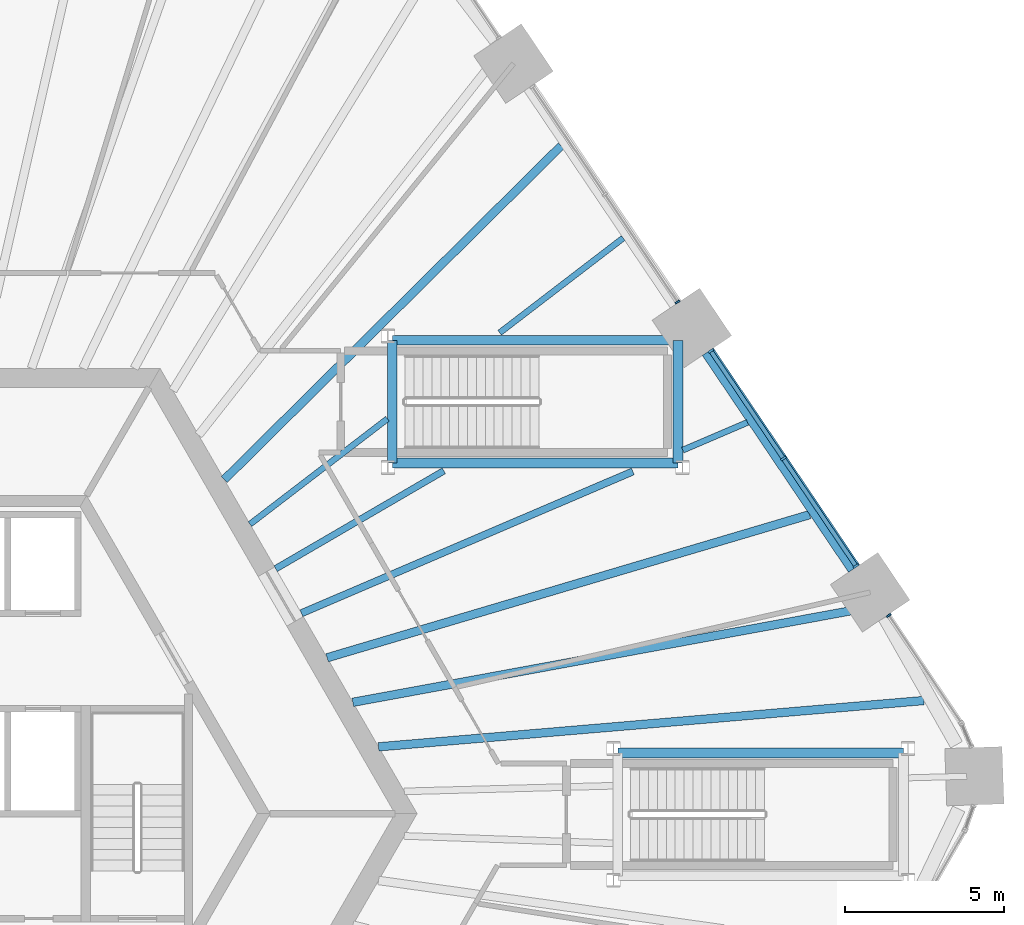
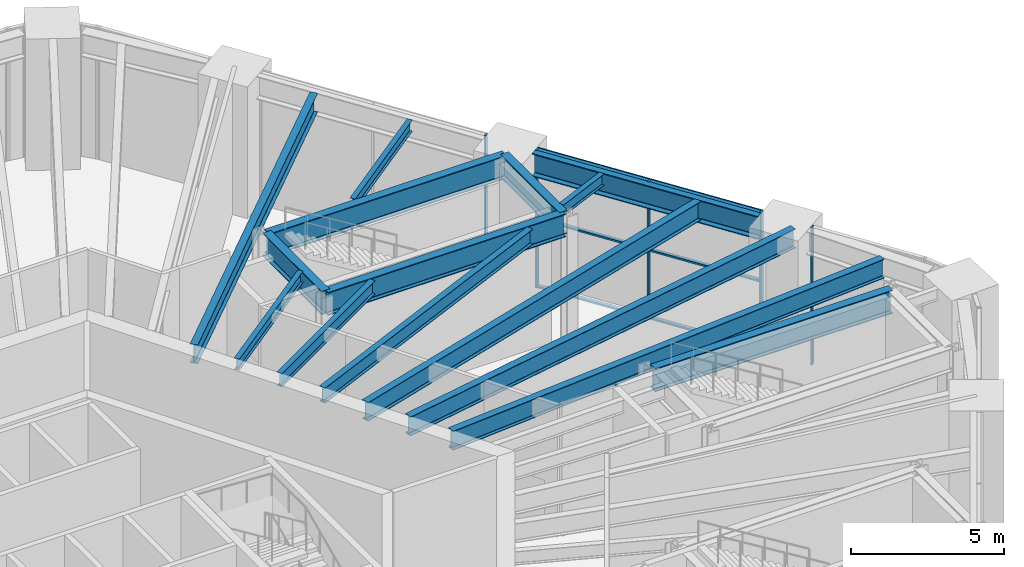
# One storey, part 9 of 30: 15 beams, 11 members, 3 elements without a shape of their own.
"""IFC4 building model written with IfcOpenShell, lengths in metres."""

from ifc_helpers import new_model, si_unit, direction, frame, origin, origin_2d, place, context, subcontext, project, spatial, rectangle, i_section, extrude, material, material_profile, profile_set, type_object, element, aggregate, save


model = new_model("IFC4")

# Units and contexts
model_context = context("Model", 3, precision=1e-05, world=origin(), true_north=direction((0.0, 1.0)))
body_context = subcontext(model_context, "Body", "Model", "MODEL_VIEW")
ifc_project = project(units=[si_unit("LENGTHUNIT", "METRE"), si_unit("AREAUNIT", "SQUARE_METRE"), si_unit("VOLUMEUNIT", "CUBIC_METRE"), si_unit("PLANEANGLEUNIT", "RADIAN"), si_unit("MASSUNIT", "GRAM", prefix="KILO")], contexts=[model_context])

# Site, building, storey
site_placement = place(None, origin())
site = spatial("IfcSite", under=ifc_project, at=site_placement, CompositionType="ELEMENT")
building_placement = place(site_placement, origin())
building = spatial("IfcBuilding", under=site, at=building_placement, Name="Tarnside Tower", CompositionType="ELEMENT")
storey_placement = place(building_placement, frame((0.0, 0.0, 15.0)))
storey = spatial("IfcBuildingStorey", under=building, at=storey_placement, Name="L02", CompositionType="ELEMENT", Elevation=15.0)

# Beams
ifc_material_1 = material(Name="Steel S355", Category="steel")
ifc_material_profile_1 = material_profile(ifc_material_1, i_section(OverallWidth=0.18994140625, OverallDepth=0.453369140625, WebThickness=0.008544921875, FlangeThickness=0.0126953125, FilletRadius=0.01025390625, at=origin_2d()), Name="UB 457x191x67")
ifc_profile_set_1 = profile_set([ifc_material_profile_1], Name="Steel S355")
beam_type_1 = type_object("IfcBeamType", Name="Floor beam UB 457x191x67", PredefinedType="BEAM", material=ifc_profile_set_1)
beam_1_placement = place(storey_placement, frame((26.551513671875, 12.298828125, 5.023193359375), z_axis=(-0.919441609872, -0.393226558153, 0.0), x_axis=(0.393226558153, -0.919441609872, 0.0)))
element("IfcBeam", 1, at=beam_1_placement, inside=storey, type_object=beam_type_1, Name="Floor beam F6.04a", PredefinedType="BEAM", context=body_context, shape_type="SweptSolid", body=[
    extrude(i_section(OverallWidth=0.18994140625, OverallDepth=0.453369140625, WebThickness=0.008544921875, FlangeThickness=0.0126953125, FilletRadius=0.01025390625, at=origin_2d()), origin(), (0.0, 0.0, 1.0), 2.212158203125),
])
beam_2_placement = place(storey_placement, frame((22.643310546875, 18.093505859375, 5.023193359375), z_axis=(-0.793636087197, -0.608392768775, 0.0), x_axis=(0.608392768775, -0.793636087197, 0.0)))
element("IfcBeam", 2, at=beam_2_placement, inside=storey, type_object=beam_type_1, Name="Floor beam F6.06a", PredefinedType="BEAM", context=body_context, shape_type="SweptSolid", body=[
    extrude(i_section(OverallWidth=0.18994140625, OverallDepth=0.453369140625, WebThickness=0.008544921875, FlangeThickness=0.0126953125, FilletRadius=0.01025390625, at=origin_2d()), origin(), (0.0, 0.0, 1.0), 4.890869140625),
])
beam_3_placement = place(storey_placement, frame((15.232421875, 12.412109375, 5.023193359375), z_axis=(-0.793643172009, -0.60838352667, 0.0), x_axis=(0.60838352667, -0.793643172009, 0.0)))
element("IfcBeam", 3, at=beam_3_placement, inside=storey, type_object=beam_type_1, Name="Floor beam F6.06b", PredefinedType="BEAM", context=body_context, shape_type="SweptSolid", body=[
    extrude(i_section(OverallWidth=0.18994140625, OverallDepth=0.453369140625, WebThickness=0.008544921875, FlangeThickness=0.0126953125, FilletRadius=0.01025390625, at=origin_2d()), origin(), (0.0, 0.0, 1.0), 5.44384765625),
])
ifc_material_profile_2 = material_profile(ifc_material_1, i_section(OverallWidth=0.209228515625, OverallDepth=0.533203125, WebThickness=0.010009765625, FlangeThickness=0.015625, FilletRadius=0.0126953125, at=origin_2d()), Name="UB 533x210x92")
ifc_profile_set_2 = profile_set([ifc_material_profile_2], Name="Steel S355")
beam_type_2 = type_object("IfcBeamType", Name="Floor beam UB 533x210x92", PredefinedType="BEAM", material=ifc_profile_set_2)
beam_4_placement = place(storey_placement, frame((17.0048828125, 10.776611328125, 4.9833984375), z_axis=(-0.864210101903, -0.503131096007, 0.0), x_axis=(0.503131096007, -0.864210101903, 0.0)))
element("IfcBeam", 4, at=beam_4_placement, inside=storey, type_object=beam_type_2, Name="Floor beam F6.05", PredefinedType="BEAM", context=body_context, shape_type="SweptSolid", body=[
    extrude(i_section(OverallWidth=0.209228515625, OverallDepth=0.533203125, WebThickness=0.010009765625, FlangeThickness=0.015625, FilletRadius=0.0126953125, at=origin_2d()), origin(), (0.0, 0.0, 1.0), 6.114990234375),
])
ifc_material_profile_3 = material_profile(ifc_material_1, i_section(OverallWidth=0.228271484375, OverallDepth=0.607666015625, WebThickness=0.010986328125, FlangeThickness=0.017333984375, FilletRadius=0.0126953125, at=origin_2d()), Name="UB 610x229x113")
ifc_profile_set_3 = profile_set([ifc_material_profile_3], Name="Steel S355")
beam_type_3 = type_object("IfcBeamType", Name="Floor beam UB 610x229x113", PredefinedType="BEAM", material=ifc_profile_set_3)
beam_5_placement = place(storey_placement, frame((22.947509765625, 10.757080078125, 4.9462890625), z_axis=(-0.919407809439, -0.393305580868, 0.0), x_axis=(0.393305580868, -0.919407809439, 0.0)))
element("IfcBeam", 5, at=beam_5_placement, inside=storey, type_object=beam_type_3, Name="Floor beam F6.04b", PredefinedType="BEAM", context=body_context, shape_type="SweptSolid", body=[
    extrude(i_section(OverallWidth=0.228271484375, OverallDepth=0.607666015625, WebThickness=0.010986328125, FlangeThickness=0.017333984375, FilletRadius=0.0126953125, at=origin_2d()), origin(), (0.0, 0.0, 1.0), 11.332275390625),
])
ifc_material_profile_4 = material_profile(ifc_material_1, i_section(OverallWidth=0.26513671875, OverallDepth=0.75390625, WebThickness=0.0126953125, FlangeThickness=0.017578125, FilletRadius=0.0166015625, at=origin_2d()), Name="UB 762x267x147")
ifc_profile_set_4 = profile_set([ifc_material_profile_4], Name="Steel S355")
beam_type_4 = type_object("IfcBeamType", Name="Floor beam UB 762x267x147", PredefinedType="BEAM", material=ifc_profile_set_4)
beam_6_placement = place(storey_placement, frame((28.507080078125, 9.39990234375, 4.873046875), z_axis=(-0.958709656164, -0.284386700073, 0.0), x_axis=(0.284386700073, -0.958709656164, 0.0)))
element("IfcBeam", 6, at=beam_6_placement, inside=storey, type_object=beam_type_4, Name="Floor beam F6.03", PredefinedType="BEAM", context=body_context, shape_type="SweptSolid", body=[
    extrude(i_section(OverallWidth=0.26513671875, OverallDepth=0.75390625, WebThickness=0.0126953125, FlangeThickness=0.017578125, FilletRadius=0.0166015625, at=origin_2d()), origin(), (0.0, 0.0, 1.0), 15.823486328125),
])
beam_7_placement = place(storey_placement, frame((20.690185546875, 20.98876953125, 4.873046875), z_axis=(-0.710383794714, -0.703814509801, 0.0), x_axis=(0.703814509801, -0.710383794714, 0.0)))
element("IfcBeam", 7, at=beam_7_placement, inside=storey, type_object=beam_type_4, Name="Floor beam F6.07", PredefinedType="BEAM", context=body_context, shape_type="SweptSolid", body=[
    extrude(i_section(OverallWidth=0.26513671875, OverallDepth=0.75390625, WebThickness=0.0126953125, FlangeThickness=0.017578125, FilletRadius=0.0166015625, at=origin_2d()), origin(), (0.0, 0.0, 1.0), 14.90283203125),
])
ifc_material_profile_5 = material_profile(ifc_material_1, i_section(OverallWidth=0.2666015625, OverallDepth=0.76220703125, WebThickness=0.014404296875, FlangeThickness=0.021484375, FilletRadius=0.0166015625, at=origin_2d()), Name="UB 762x267x173")
ifc_profile_set_5 = profile_set([ifc_material_profile_5], Name="Steel S355")
beam_type_5 = type_object("IfcBeamType", Name="Floor beam UB 762x267x173", PredefinedType="BEAM", material=ifc_profile_set_5)
beam_8_placement = place(storey_placement, frame((32.09423828125, 3.5556640625, 4.868896484375), z_axis=(-0.996413859407, -0.084613360535, 0.0), x_axis=(0.084613360535, -0.996413859407, 0.0)))
element("IfcBeam", 8, at=beam_8_placement, inside=storey, type_object=beam_type_5, Name="Floor beam F6.01", PredefinedType="BEAM", context=body_context, shape_type="SweptSolid", body=[
    extrude(i_section(OverallWidth=0.2666015625, OverallDepth=0.76220703125, WebThickness=0.014404296875, FlangeThickness=0.021484375, FilletRadius=0.0166015625, at=origin_2d()), origin(), (0.0, 0.0, 1.0), 17.20263671875),
])
beam_9_placement = place(storey_placement, frame((30.42919921875, 6.493408203125, 4.868896484375), z_axis=(-0.983521009802, -0.180793869583, 0.0), x_axis=(0.180793869583, -0.983521009802, 0.0)))
element("IfcBeam", 9, at=beam_9_placement, inside=storey, type_object=beam_type_5, Name="Floor beam F6.02", PredefinedType="BEAM", context=body_context, shape_type="SweptSolid", body=[
    extrude(i_section(OverallWidth=0.2666015625, OverallDepth=0.76220703125, WebThickness=0.014404296875, FlangeThickness=0.021484375, FilletRadius=0.0166015625, at=origin_2d()), origin(), (0.0, 0.0, 1.0), 16.55712890625),
])

# Curtain wall, members
ifc_material_2 = material(Name="Lobby entrance glazing wall", Category="glass")
curtain_wall_type_1 = type_object("IfcCurtainWallType", Name="Lobby entrance glazing wall", PredefinedType="NOTDEFINED", material=ifc_material_2)
curtain_wall_1_placement = place(storey_placement, origin())
curtain_wall_1 = element("IfcCurtainWall", 10, at=curtain_wall_1_placement, inside=storey, type_object=curtain_wall_type_1, Name="Lobby entrance glazing L02 20.0", PredefinedType="NOTDEFINED")
ifc_material_3 = material(Name="Aluminium alloy 6063", Category="aluminium")
ifc_material_profile_6 = material_profile(ifc_material_3, rectangle(XDim=0.179931640625, YDim=0.070068359375, at=origin_2d()), Name="Lobby entrance glazing mullion 70 x 180")
ifc_profile_set_6 = profile_set([ifc_material_profile_6], Name="Aluminium alloy 6063")
member_type_1 = type_object("IfcMemberType", Name="Lobby entrance glazing mullion 70 x 180", PredefinedType="MULLION", material=ifc_profile_set_6)
member_1_placement = place(storey_placement, frame((29.959228515625, 7.783935546875, -0.25), z_axis=(0.0, 0.0, 1.0), x_axis=(-0.829037572545, -0.559192903485, 0.0)))
member_1 = element("IfcMember", 11, at=member_1_placement, type_object=member_type_1, Name="CW3 mullion 1", PredefinedType="MULLION", context=body_context, shape_type="SweptSolid", body=[
    extrude(rectangle(XDim=0.179931640625, YDim=0.070068359375, at=origin_2d()), origin(), (0.0, 0.0, 1.0), 5.5),
])
member_2_placement = place(storey_placement, frame((27.679443359375, 11.163818359375, -0.25), z_axis=(0.0, 0.0, 1.0), x_axis=(-0.829037572545, -0.559192903485, 0.0)))
member_2 = element("IfcMember", 12, at=member_2_placement, type_object=member_type_1, Name="CW3 mullion 2", PredefinedType="MULLION", context=body_context, shape_type="SweptSolid", body=[
    extrude(rectangle(XDim=0.179931640625, YDim=0.070068359375, at=origin_2d()), origin(), (0.0, 0.0, 1.0), 5.5),
])
member_3_placement = place(storey_placement, frame((25.399658203125, 14.543701171875, -0.25), z_axis=(0.0, 0.0, 1.0), x_axis=(-0.829037572545, -0.559192903485, 0.0)))
member_3 = element("IfcMember", 13, at=member_3_placement, type_object=member_type_1, Name="CW3 mullion 3", PredefinedType="MULLION", context=body_context, shape_type="SweptSolid", body=[
    extrude(rectangle(XDim=0.179931640625, YDim=0.070068359375, at=origin_2d()), origin(), (0.0, 0.0, 1.0), 5.5),
])
ifc_material_profile_7 = material_profile(ifc_material_3, rectangle(XDim=0.139892578125, YDim=0.070068359375, at=origin_2d()), Name="Lobby entrance glazing transom 70 x 140")
ifc_profile_set_7 = profile_set([ifc_material_profile_7], Name="Aluminium alloy 6063")
member_type_2 = type_object("IfcMemberType", Name="Lobby entrance glazing transom 70 x 140", PredefinedType="USERDEFINED", material=ifc_profile_set_7)
member_4_placement = place(storey_placement, frame((29.939697265625, 7.81298828125, -0.215087890625), z_axis=(-0.55921958429, 0.82901957549, 0.0), x_axis=(-0.82901957549, -0.55921958429, 0.0)))
member_4 = element("IfcMember", 14, at=member_4_placement, type_object=member_type_2, Name="CW3 transom 1.1", ObjectType="TRANSOM", PredefinedType="USERDEFINED", context=body_context, shape_type="SweptSolid", body=[
    extrude(rectangle(XDim=0.139892578125, YDim=0.070068359375, at=origin_2d()), origin(), (0.0, 0.0, 1.0), 4.0068359375),
])
member_5_placement = place(storey_placement, frame((29.939697265625, 7.81298828125, 2.5), z_axis=(-0.55921958429, 0.82901957549, 0.0), x_axis=(-0.82901957549, -0.55921958429, 0.0)))
member_5 = element("IfcMember", 15, at=member_5_placement, type_object=member_type_2, Name="CW3 transom 1.2", ObjectType="TRANSOM", PredefinedType="USERDEFINED", context=body_context, shape_type="SweptSolid", body=[
    extrude(rectangle(XDim=0.139892578125, YDim=0.070068359375, at=origin_2d()), origin(), (0.0, 0.0, 1.0), 4.0068359375),
])
member_6_placement = place(storey_placement, frame((29.939697265625, 7.81298828125, 5.215087890625), z_axis=(-0.55921958429, 0.82901957549, 0.0), x_axis=(-0.82901957549, -0.55921958429, 0.0)))
member_6 = element("IfcMember", 16, at=member_6_placement, type_object=member_type_2, Name="CW3 transom 1.3", ObjectType="TRANSOM", PredefinedType="USERDEFINED", context=body_context, shape_type="SweptSolid", body=[
    extrude(rectangle(XDim=0.139892578125, YDim=0.070068359375, at=origin_2d()), origin(), (0.0, 0.0, 1.0), 4.0068359375),
])
member_7_placement = place(storey_placement, frame((27.659912109375, 11.19287109375, -0.215087890625), z_axis=(-0.55921958429, 0.82901957549, 0.0), x_axis=(-0.82901957549, -0.55921958429, 0.0)))
member_7 = element("IfcMember", 17, at=member_7_placement, type_object=member_type_2, Name="CW3 transom 2.1", ObjectType="TRANSOM", PredefinedType="USERDEFINED", context=body_context, shape_type="SweptSolid", body=[
    extrude(rectangle(XDim=0.139892578125, YDim=0.070068359375, at=origin_2d()), origin(), (0.0, 0.0, 1.0), 4.0068359375),
])
member_8_placement = place(storey_placement, frame((27.659912109375, 11.19287109375, 2.5), z_axis=(-0.55921958429, 0.82901957549, 0.0), x_axis=(-0.82901957549, -0.55921958429, 0.0)))
member_8 = element("IfcMember", 18, at=member_8_placement, type_object=member_type_2, Name="CW3 transom 2.2", ObjectType="TRANSOM", PredefinedType="USERDEFINED", context=body_context, shape_type="SweptSolid", body=[
    extrude(rectangle(XDim=0.139892578125, YDim=0.070068359375, at=origin_2d()), origin(), (0.0, 0.0, 1.0), 4.0068359375),
])
member_9_placement = place(storey_placement, frame((27.659912109375, 11.19287109375, 5.215087890625), z_axis=(-0.55921958429, 0.82901957549, 0.0), x_axis=(-0.82901957549, -0.55921958429, 0.0)))
member_9 = element("IfcMember", 19, at=member_9_placement, type_object=member_type_2, Name="CW3 transom 2.3", ObjectType="TRANSOM", PredefinedType="USERDEFINED", context=body_context, shape_type="SweptSolid", body=[
    extrude(rectangle(XDim=0.139892578125, YDim=0.070068359375, at=origin_2d()), origin(), (0.0, 0.0, 1.0), 4.0068359375),
])
aggregate(curtain_wall_1, [member_1, member_2, member_3, member_4, member_5, member_6, member_7, member_8, member_9])

# Beams
ifc_material_profile_8 = material_profile(ifc_material_1, i_section(OverallWidth=0.3076171875, OverallDepth=0.926513671875, WebThickness=0.01953125, FlangeThickness=0.031982421875, FilletRadius=0.01904296875, at=origin_2d()), Name="UB 914x305x289")
ifc_profile_set_8 = profile_set([ifc_material_profile_8], Name="Steel S355")
beam_type_6 = type_object("IfcBeamType", Name="Perimeter girder UB 914x305x289", PredefinedType="BEAM", material=ifc_profile_set_8)
beam_10_placement = place(storey_placement, frame((22.476318359375, 1.90380859375, 4.78662109375), z_axis=(1.0, 0.0, 0.0), x_axis=(0.0, 1.0, 0.0)))
element("IfcBeam", 20, at=beam_10_placement, inside=storey, type_object=beam_type_6, Name="Perimeter girder T12", PredefinedType="BEAM", context=body_context, shape_type="SweptSolid", body=[
    extrude(i_section(OverallWidth=0.3076171875, OverallDepth=0.926513671875, WebThickness=0.01953125, FlangeThickness=0.031982421875, FilletRadius=0.01904296875, at=origin_2d()), origin(), (0.0, 0.0, 1.0), 8.9775390625),
])
beam_11_placement = place(storey_placement, frame((24.36376953125, 14.87890625, 4.78662109375), z_axis=(0.0, -1.0, 0.0), x_axis=(1.0, 0.0, 0.0)))
element("IfcBeam", 21, at=beam_11_placement, inside=storey, type_object=beam_type_6, Name="Perimeter girder T13", PredefinedType="BEAM", context=body_context, shape_type="SweptSolid", body=[
    extrude(i_section(OverallWidth=0.3076171875, OverallDepth=0.926513671875, WebThickness=0.01953125, FlangeThickness=0.031982421875, FilletRadius=0.01904296875, at=origin_2d()), origin(), (0.0, 0.0, 1.0), 3.857666015625),
])
beam_12_placement = place(storey_placement, frame((24.36376953125, 11.021240234375, 4.78662109375), z_axis=(-1.0, 0.0, 0.0), x_axis=(0.0, -1.0, 0.0)))
element("IfcBeam", 22, at=beam_12_placement, inside=storey, type_object=beam_type_6, Name="Perimeter girder T14", PredefinedType="BEAM", context=body_context, shape_type="SweptSolid", body=[
    extrude(i_section(OverallWidth=0.3076171875, OverallDepth=0.926513671875, WebThickness=0.01953125, FlangeThickness=0.031982421875, FilletRadius=0.01904296875, at=origin_2d()), origin(), (0.0, 0.0, 1.0), 8.9775390625),
])
beam_13_placement = place(storey_placement, frame((15.38623046875, 11.021240234375, 4.78662109375), z_axis=(0.0, 1.0, 0.0), x_axis=(-1.0, 0.0, 0.0)))
element("IfcBeam", 23, at=beam_13_placement, inside=storey, type_object=beam_type_6, Name="Perimeter girder T15", PredefinedType="BEAM", context=body_context, shape_type="SweptSolid", body=[
    extrude(i_section(OverallWidth=0.3076171875, OverallDepth=0.926513671875, WebThickness=0.01953125, FlangeThickness=0.031982421875, FilletRadius=0.01904296875, at=origin_2d()), origin(), (0.0, 0.0, 1.0), 3.857666015625),
])
beam_14_placement = place(storey_placement, frame((15.38623046875, 14.87890625, 4.78662109375), z_axis=(1.0, 0.0, 0.0), x_axis=(0.0, 1.0, 0.0)))
element("IfcBeam", 24, at=beam_14_placement, inside=storey, type_object=beam_type_6, Name="Perimeter girder T16", PredefinedType="BEAM", context=body_context, shape_type="SweptSolid", body=[
    extrude(i_section(OverallWidth=0.3076171875, OverallDepth=0.926513671875, WebThickness=0.01953125, FlangeThickness=0.031982421875, FilletRadius=0.01904296875, at=origin_2d()), origin(), (0.0, 0.0, 1.0), 8.9775390625),
])
ifc_material_4 = material(Name="Steel S460", Category="steel")
ifc_material_profile_9 = material_profile(ifc_material_4, i_section(OverallWidth=0.42041015625, OverallDepth=0.9208984375, WebThickness=0.021484375, FlangeThickness=0.03662109375, FilletRadius=0.024169921875, at=origin_2d()), Name="UB 914x419x388")
ifc_profile_set_9 = profile_set([ifc_material_profile_9], Name="Steel S460")
beam_type_7 = type_object("IfcBeamType", Name="Perimeter girder UB 914x419x388", PredefinedType="BEAM", material=ifc_profile_set_9)
beam_15_placement = place(storey_placement, frame((29.904052734375, 7.70458984375, 4.78955078125), z_axis=(-0.559186275376, 0.829042043223, 0.0), x_axis=(-0.829042043223, -0.559186275376, 0.0)))
element("IfcBeam", 25, at=beam_15_placement, inside=storey, type_object=beam_type_7, Name="Perimeter girder M21", PredefinedType="BEAM", context=body_context, shape_type="SweptSolid", body=[
    extrude(i_section(OverallWidth=0.42041015625, OverallDepth=0.9208984375, WebThickness=0.021484375, FlangeThickness=0.03662109375, FilletRadius=0.024169921875, at=origin_2d()), origin(), (0.0, 0.0, 1.0), 8.223876953125),
])

# Curtain wall, member
ifc_material_5 = material(Name="Retail shopfront glazing wall", Category="glass")
curtain_wall_type_2 = type_object("IfcCurtainWallType", Name="Retail shopfront glazing wall", PredefinedType="NOTDEFINED", material=ifc_material_5)
curtain_wall_2_placement = place(storey_placement, origin())
curtain_wall_2 = element("IfcCurtainWall", 26, at=curtain_wall_2_placement, inside=storey, type_object=curtain_wall_type_2, Name="Retail shopfront glazing L02 19.1", PredefinedType="NOTDEFINED")
ifc_material_profile_10 = material_profile(ifc_material_3, rectangle(XDim=0.159912109375, YDim=0.06005859375, at=origin_2d()), Name="Retail shopfront glazing mullion 60 x 160")
ifc_profile_set_10 = profile_set([ifc_material_profile_10], Name="Aluminium alloy 6063")
member_type_3 = type_object("IfcMemberType", Name="Retail shopfront glazing mullion 60 x 160", PredefinedType="MULLION", material=ifc_profile_set_10)
member_10_placement = place(storey_placement, frame((30.99365234375, 6.232177734375, -0.25), z_axis=(0.0, 0.0, 1.0), x_axis=(-0.829037572487, -0.559192903572, 0.0)))
member_10 = element("IfcMember", 27, at=member_10_placement, type_object=member_type_3, Name="CW2 mullion 2", PredefinedType="MULLION", context=body_context, shape_type="SweptSolid", body=[
    extrude(rectangle(XDim=0.159912109375, YDim=0.06005859375, at=origin_2d()), origin(), (0.0, 0.0, 1.0), 5.5),
])
aggregate(curtain_wall_2, [member_10])

curtain_wall_3_placement = place(storey_placement, origin())
curtain_wall_3 = element("IfcCurtainWall", 28, at=curtain_wall_3_placement, inside=storey, type_object=curtain_wall_type_2, Name="Retail shopfront glazing L02 21.0", PredefinedType="NOTDEFINED")
member_11_placement = place(storey_placement, frame((24.348388671875, 16.084228515625, -0.25), z_axis=(0.0, 0.0, 1.0), x_axis=(-0.829037572545, -0.559192903485, 0.0)))
member_11 = element("IfcMember", 29, at=member_11_placement, type_object=member_type_3, Name="CW2 mullion 1", PredefinedType="MULLION", context=body_context, shape_type="SweptSolid", body=[
    extrude(rectangle(XDim=0.159912109375, YDim=0.06005859375, at=origin_2d()), origin(), (0.0, 0.0, 1.0), 5.5),
])
aggregate(curtain_wall_3, [member_11])

save(model, "model.ifc")
